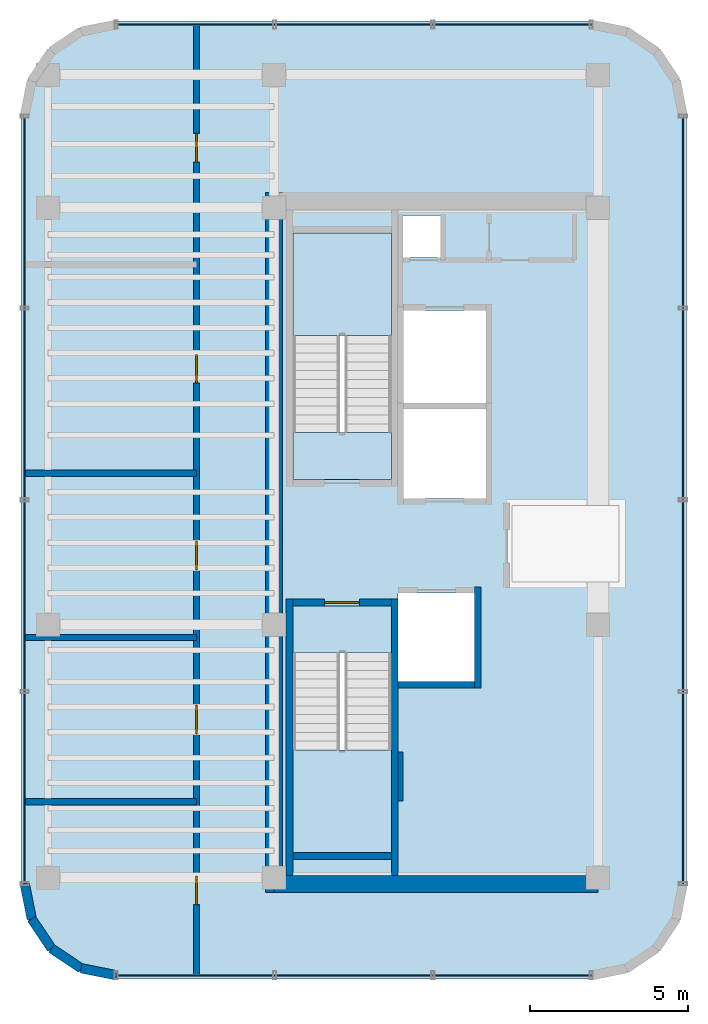
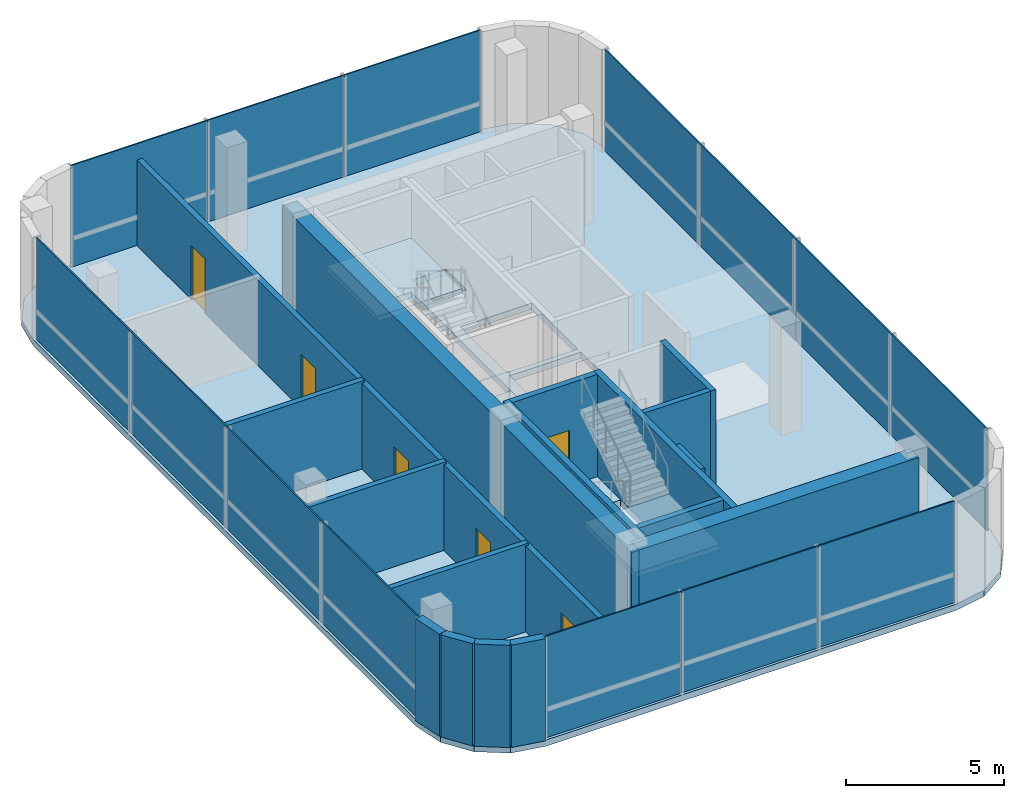
# One storey, part 9 of 11: 17 walls, 14 plates, 6 doors, 5 slabs, 6 openings, 6 elements without a shape of their own.
"""IFC4 building model written with IfcOpenShell, lengths in metres."""

import ifcopenshell
import ifcopenshell.guid

model = None  # the IFC model being written
_history = None  # IfcOwnerHistory: only IFC2X3 demands one
_inside = {}  # id of a spatial element -> (the spatial element, [elements in it])
_under = {}  # id of a project, library or spatial element -> (it, [spatial elements below it])
_declared = {}  # id of a project -> (the project, [libraries it declares])
_typed = {}  # id of a type object -> (the type object, [elements of that type])
_made_of = {}  # id of a material, layer set ... -> (it, [elements and type objects made of it])


def new_model(schema):
    """Start an empty IFC model of exactly this schema.

    Asked for "IFC4X3", IfcOpenShell would pick the latest addendum, in which some entities
    have other attributes; the version numbers below select the first issue.
    IFC2X3 requires an IfcOwnerHistory on every rooted entity: one is made here for all.
    """
    global model, _history
    if schema == "IFC4X3":
        model = ifcopenshell.file(schema_version=(4, 3, 0, 0))
    else:
        model = ifcopenshell.file(schema=schema)
    _inside.clear()
    _under.clear()
    _declared.clear()
    _typed.clear()
    _made_of.clear()
    _history = None
    if model.schema == "IFC2X3":
        org = make("IfcOrganization", Name="unknown")
        user = make(
            "IfcPersonAndOrganization",
            ThePerson=make("IfcPerson", FamilyName="unknown"),
            TheOrganization=org,
        )
        app = make(
            "IfcApplication",
            ApplicationDeveloper=org,
            Version="unknown",
            ApplicationFullName="unknown",
            ApplicationIdentifier="unknown",
        )
        _history = make(
            "IfcOwnerHistory",
            OwningUser=user,
            OwningApplication=app,
            ChangeAction="ADDED",
            CreationDate=0,
        )
    return model


def make(cls, **values):
    """One entity of the class cls with the attributes given. An attribute that is None is left unset."""
    return model.create_entity(
        cls, **{name: value for name, value in values.items() if value is not None}
    )


def rooted(cls, **values):
    """An entity with a GlobalId (a new one), such as an element, a storey or a relation."""
    return make(cls, GlobalId=ifcopenshell.guid.new(), OwnerHistory=_history, **values)


def si_unit(unit_type, name, prefix=None):
    """IfcSIUnit, for example si_unit("LENGTHUNIT", "METRE", prefix="MILLI")."""
    return make("IfcSIUnit", UnitType=unit_type, Prefix=prefix, Name=name)


def assignment(units):
    """IfcUnitAssignment: the units of a project."""
    return None if units is None else make("IfcUnitAssignment", Units=units)


def point(xyz):
    """IfcCartesianPoint."""
    return None if xyz is None else make("IfcCartesianPoint", Coordinates=xyz)


def direction(xyz):
    """IfcDirection."""
    return None if xyz is None else make("IfcDirection", DirectionRatios=xyz)


def frame(location, z_axis=None, x_axis=None):
    """IfcAxis2Placement3D, a coordinate frame: its origin and axes. An axis left out is left unset."""
    return make(
        "IfcAxis2Placement3D",
        Location=point(location),
        Axis=direction(z_axis),
        RefDirection=direction(x_axis),
    )


def frame_2d(location, x_axis=None):
    """IfcAxis2Placement2D, a coordinate frame in the plane: its origin and x axis."""
    return make(
        "IfcAxis2Placement2D", Location=point(location), RefDirection=direction(x_axis)
    )


def origin():
    """The frame at (0, 0, 0) with its axes left unset."""
    return frame((0.0, 0.0, 0.0))


def origin_2d():
    """The frame at (0, 0) in the plane with its x axis left unset."""
    return frame_2d((0.0, 0.0))


def place(relative_to, where):
    """IfcLocalPlacement: puts the frame where relative to a parent placement (None: the world)."""
    return make(
        "IfcLocalPlacement", PlacementRelTo=relative_to, RelativePlacement=where
    )


def context(
    kind, dimensions, precision=None, world=None, true_north=None, identifier=None
):
    """IfcGeometricRepresentationContext, for example the 3D "Model" context."""
    return make(
        "IfcGeometricRepresentationContext",
        ContextIdentifier=identifier,
        ContextType=kind,
        CoordinateSpaceDimension=dimensions,
        Precision=precision,
        WorldCoordinateSystem=world,
        TrueNorth=true_north,
    )


def subcontext(parent, identifier, kind, view, scale=None):
    """IfcGeometricRepresentationSubContext, for example "Body" below "Model"."""
    return make(
        "IfcGeometricRepresentationSubContext",
        ContextIdentifier=identifier,
        ContextType=kind,
        ParentContext=parent,
        TargetScale=scale,
        TargetView=view,
    )


def project(units=None, contexts=None):
    """IfcProject with its units and contexts."""
    return rooted(
        "IfcProject",
        Name="project",
        RepresentationContexts=contexts,
        UnitsInContext=assignment(units),
    )


def spatial(cls, under=None, at=None, **own):
    """A site, building, storey or space (cls), placed at a placement, below another one or the project."""
    s = rooted(cls, ObjectPlacement=at, **own)
    if under is not None:
        _under.setdefault(under.id(), (under, []))[1].append(s)
    return s


def polyline(points):
    """IfcPolyline through the points."""
    return make("IfcPolyline", Points=[point(p) for p in points])


def profile(cls, at=None, kind="AREA", **sizes):
    """A parametric profile (cls). Its sizes go by their IFC names, for example OverallWidth=200.0."""
    return make(cls, ProfileType=kind, Position=at, **sizes)


def rectangle(**sizes):
    """IfcRectangleProfileDef."""
    return profile("IfcRectangleProfileDef", **sizes)


def outline(outer, holes=None, kind="AREA"):
    """IfcArbitraryClosedProfileDef: a profile drawn as a closed curve; with holes, ...WithVoids."""
    if holes is None:
        return make("IfcArbitraryClosedProfileDef", ProfileType=kind, OuterCurve=outer)
    return make(
        "IfcArbitraryProfileDefWithVoids",
        ProfileType=kind,
        OuterCurve=outer,
        InnerCurves=holes,
    )


def extrude(swept, where, along, depth):
    """IfcExtrudedAreaSolid: the profile swept, set in the frame where, extruded along a direction by depth."""
    return make(
        "IfcExtrudedAreaSolid",
        SweptArea=swept,
        Position=where,
        ExtrudedDirection=direction(along),
        Depth=depth,
    )


def shape(context_of_items, identifier, shape_type, items):
    """IfcShapeRepresentation: the items that make up one representation, for example the "Body"."""
    return make(
        "IfcShapeRepresentation",
        ContextOfItems=context_of_items,
        RepresentationIdentifier=identifier,
        RepresentationType=shape_type,
        Items=items,
    )


def source(mapping_origin, context_of_items, identifier, shape_type, items):
    """IfcRepresentationMap: a shape defined once, which mapped items show again and again."""
    return make(
        "IfcRepresentationMap",
        MappingOrigin=mapping_origin,
        MappedRepresentation=shape(context_of_items, identifier, shape_type, items),
    )


def transform(
    local_origin,
    x_axis=None,
    y_axis=None,
    z_axis=None,
    scale=None,
    scale2=None,
    scale3=None,
    uniform=True,
):
    """IfcCartesianTransformationOperator3D, or its non-uniform kind. x_axis, y_axis, z_axis: its Axis1, 2, 3."""
    if uniform:
        return make(
            "IfcCartesianTransformationOperator3D",
            Axis1=direction(x_axis),
            Axis2=direction(y_axis),
            LocalOrigin=point(local_origin),
            Scale=scale,
            Axis3=direction(z_axis),
        )
    return make(
        "IfcCartesianTransformationOperator3DnonUniform",
        Axis1=direction(x_axis),
        Axis2=direction(y_axis),
        LocalOrigin=point(local_origin),
        Scale=scale,
        Axis3=direction(z_axis),
        Scale2=scale2,
        Scale3=scale3,
    )


def mapped(mapping_source, mapping_target):
    """IfcMappedItem: shows the shape of a source again, moved by a transform."""
    return make(
        "IfcMappedItem", MappingSource=mapping_source, MappingTarget=mapping_target
    )


def material(Name=None, Category=None):
    """IfcMaterial."""
    return make("IfcMaterial", Name=Name, Category=Category)


def layer(
    of_material, thickness, ventilated=None, Name=None, Category=None, Priority=None
):
    """IfcMaterialLayer: one layer of a wall or slab, of a material (None: an air gap)."""
    return make(
        "IfcMaterialLayer",
        Material=of_material,
        LayerThickness=thickness,
        IsVentilated=ventilated,
        Name=Name,
        Category=Category,
        Priority=Priority,
    )


def layer_set(layers, Name=None):
    """IfcMaterialLayerSet."""
    return make("IfcMaterialLayerSet", MaterialLayers=layers, LayerSetName=Name)


def made_of(thing, what):
    """Note that an element or type object is made of a material, layer set ...; save() writes the relation."""
    if what is not None:
        _made_of.setdefault(what.id(), (what, []))[1].append(thing)
    return thing


def type_object(cls, material=None, **own):
    """A type object (cls), such as IfcWallType, which elements share."""
    return made_of(rooted(cls, **own), material)


def element(
    cls,
    number,
    at=None,
    inside=None,
    cuts=None,
    type_object=None,
    material=None,
    context=None,
    identifier="Body",
    shape_type=None,
    held_by="IfcProductDefinitionShape",
    body=None,
    shapes=None,
    **own,
):
    """One element of the class cls, such as IfcWall. Its Tag is "e" and its number.

    at: its placement. inside: the storey or other place that contains it. cuts: it is an
    opening in that element (IfcRelVoidsElement). A single representation is given by context,
    identifier, shape_type and body (its items); several are given by shapes. held_by: the class
    of the entity that holds the representations. save() writes the other relations.
    """
    e = rooted(cls, Tag="e%d" % number, ObjectPlacement=at, **own)
    if body is not None:
        shapes = [shape(context, identifier, shape_type, body)]
    if shapes is not None:
        e.Representation = make(held_by, Representations=shapes)
    if inside is not None:
        _inside.setdefault(inside.id(), (inside, []))[1].append(e)
    if cuts is not None:
        rooted(
            "IfcRelVoidsElement", RelatingBuildingElement=cuts, RelatedOpeningElement=e
        )
    if type_object is not None:
        _typed.setdefault(type_object.id(), (type_object, []))[1].append(e)
    return made_of(e, material)


def fill(opening, filler):
    """IfcRelFillsElement: the door or window that sits in an opening."""
    return rooted(
        "IfcRelFillsElement",
        RelatingOpeningElement=opening,
        RelatedBuildingElement=filler,
    )


def aggregate(whole, parts):
    """IfcRelAggregates: a whole, such as a stair, and the parts it consists of."""
    return rooted("IfcRelAggregates", RelatingObject=whole, RelatedObjects=parts)


def save(model, path):
    """Write the relations noted so far, then the file.

    IfcRelAggregates (storeys below a building ...), IfcRelContainedInSpatialStructure (elements
    in a storey), IfcRelDefinesByType, IfcRelAssociatesMaterial and IfcRelDeclares: one each for
    every whole, place, type object, material and project.
    """
    for whole, parts in _under.values():
        aggregate(whole, parts)
    for where, things in _inside.values():
        rooted(
            "IfcRelContainedInSpatialStructure",
            RelatedElements=things,
            RelatingStructure=where,
        )
    for kind, things in _typed.values():
        rooted("IfcRelDefinesByType", RelatedObjects=things, RelatingType=kind)
    for what, things in _made_of.values():
        rooted("IfcRelAssociatesMaterial", RelatedObjects=things, RelatingMaterial=what)
    for by, libraries in _declared.values():
        rooted("IfcRelDeclares", RelatingContext=by, RelatedDefinitions=libraries)
    model.write(path)


model = new_model("IFC4")

# Units and contexts
model_context = context("Model", 3, precision=1e-05, world=origin(), true_north=direction((0.0, 1.0)))
body_context = subcontext(model_context, "Body", "Model", "MODEL_VIEW")
ifc_project = project(units=[si_unit("LENGTHUNIT", "METRE"), si_unit("AREAUNIT", "SQUARE_METRE"), si_unit("VOLUMEUNIT", "CUBIC_METRE"), si_unit("PLANEANGLEUNIT", "RADIAN"), si_unit("MASSUNIT", "GRAM", prefix="KILO")], contexts=[model_context])

# Site, building, storey
site_placement = place(None, origin())
site = spatial("IfcSite", under=ifc_project, at=site_placement, CompositionType="ELEMENT")
building_placement = place(site_placement, origin())
building = spatial("IfcBuilding", under=site, at=building_placement, Name="Valdorenza Pilgrim Sanctuary Tower", CompositionType="ELEMENT")
storey_placement = place(building_placement, frame((0.0, 0.0, 299.39990234375)))
storey = spatial("IfcBuildingStorey", under=building, at=storey_placement, Name="L78", CompositionType="ELEMENT", Elevation=299.39990234375)

# Slab
ifc_material_1 = material(Name="Concrete C40/50", Category="concrete")
ifc_layer_1 = layer(ifc_material_1, 0.239990234375, Name="Concrete C40/50")
ifc_layer_set_1 = layer_set([ifc_layer_1], Name="Concrete C40/50")
slab_type_1 = type_object("IfcSlabType", Name="SLAB-PLT-240", PredefinedType="FLOOR", material=ifc_layer_set_1)
slab_1_placement = place(storey_placement, frame((0.0, 0.0, -0.239990234375)))
element("IfcSlab", 1, at=slab_1_placement, inside=storey, type_object=slab_type_1, Name="L78 Structural Floor Slab 1", PredefinedType="FLOOR", context=body_context, shape_type="SweptSolid", body=[
    extrude(outline(polyline([(-30.64990234375, 13.5), (-30.421630859375, 14.648193359375), (-29.771240234375, 15.621337890625), (-28.798095703125, 16.271484375), (-27.64990234375, 16.5), (-12.60009765625, 16.5), (-11.451904296875, 16.271484375), (-10.478759765625, 15.621337890625), (-9.828369140625, 14.648193359375), (-9.60009765625, 13.5), (-9.60009765625, -10.800048828125), (-9.828369140625, -11.947998046875), (-10.478759765625, -12.92138671875), (-11.451904296875, -13.571533203125), (-12.60009765625, -13.800048828125), (-27.64990234375, -13.800048828125), (-28.798095703125, -13.571533203125), (-29.771240234375, -12.92138671875), (-30.421630859375, -11.947998046875), (-30.64990234375, -10.800048828125), (-30.64990234375, 13.5)]), holes=[polyline([(-18.93994140625, -9.800048828125), (-18.93994140625, -3.485107421875), (-18.93994140625, -2.0), (-22.050048828125, -2.0), (-22.050048828125, -3.485107421875), (-22.050048828125, -9.800048828125), (-18.93994140625, -9.800048828125)]), polyline([(-16.300048828125, -1.60009765625), (-18.719970703125, -1.60009765625), (-18.719970703125, -4.39990234375), (-16.300048828125, -4.39990234375), (-16.300048828125, -1.60009765625)]), polyline([(-18.93994140625, 3.485107421875), (-18.93994140625, 9.800048828125), (-22.050048828125, 9.800048828125), (-22.050048828125, 3.485107421875), (-22.050048828125, 2.0), (-18.93994140625, 2.0), (-18.93994140625, 3.485107421875)]), polyline([(-15.949951171875, 4.22509765625), (-18.550048828125, 4.22509765625), (-18.550048828125, 1.39990234375), (-15.949951171875, 1.39990234375), (-15.949951171875, 4.22509765625)]), polyline([(-15.949951171875, 7.35009765625), (-18.550048828125, 7.35009765625), (-18.550048828125, 4.425048828125), (-15.949951171875, 4.425048828125), (-15.949951171875, 7.35009765625)]), polyline([(-17.360107421875, 10.35009765625), (-18.570068359375, 10.35009765625), (-18.570068359375, 9.030029296875), (-17.360107421875, 9.030029296875), (-17.360107421875, 10.35009765625)])]), origin(), (0.0, 0.0, 1.0), 0.239990234375),
])

# Stair, slab
stair_type = type_object("IfcStairType", Name="STR-DOG-CORE", PredefinedType="HALF_TURN_STAIR", material=ifc_material_1)
stair_1_placement = place(storey_placement, origin())
stair_1 = element("IfcStair", 2, at=stair_1_placement, inside=storey, type_object=stair_type, Name="L78 ST-A1", PredefinedType="HALF_TURN_STAIR")
ifc_layer_2 = layer(ifc_material_1, 0.199951171875, Name="Concrete C40/50")
ifc_layer_set_2 = layer_set([ifc_layer_2], Name="Concrete C40/50")
slab_type_2 = type_object("IfcSlabType", Name="SLAB-STL-200", PredefinedType="LANDING", material=ifc_layer_set_2)
slab_2_placement = place(storey_placement, frame((0.0, 0.0, 1.900146484375)))
slab_2 = element("IfcSlab", 3, at=slab_2_placement, type_object=slab_type_2, Name="ST-A1 landing 1", PredefinedType="LANDING", context=body_context, shape_type="SweptSolid", body=[
    extrude(outline(polyline([(-18.93994140625, 6.56005859375), (-18.93994140625, 9.800048828125), (-22.050048828125, 9.800048828125), (-22.050048828125, 6.56005859375), (-18.93994140625, 6.56005859375)])), origin(), (0.0, 0.0, 1.0), 0.199951171875),
])
aggregate(stair_1, [slab_2])

stair_2_placement = place(storey_placement, origin())
stair_2 = element("IfcStair", 4, at=stair_2_placement, inside=storey, type_object=stair_type, Name="L78 ST-A2", PredefinedType="HALF_TURN_STAIR")
slab_3_placement = place(storey_placement, frame((0.0, 0.0, 1.900146484375)))
slab_3 = element("IfcSlab", 5, at=slab_3_placement, type_object=slab_type_2, Name="ST-A2 landing 1", PredefinedType="LANDING", context=body_context, shape_type="SweptSolid", body=[
    extrude(outline(polyline([(-22.050048828125, -6.56005859375), (-22.050048828125, -9.800048828125), (-18.93994140625, -9.800048828125), (-18.93994140625, -6.56005859375), (-22.050048828125, -6.56005859375)])), origin(), (0.0, 0.0, 1.0), 0.199951171875),
])
aggregate(stair_2, [slab_3])

# Slabs
ifc_material_2 = material(Name="Concrete C50/60", Category="concrete")
ifc_layer_3 = layer(ifc_material_2, 0.39990234375, Name="Concrete C50/60")
ifc_layer_set_3 = layer_set([ifc_layer_3], Name="Concrete C50/60")
slab_type_3 = type_object("IfcSlabType", Name="SLAB-TRF-400", PredefinedType="FLOOR", material=ifc_layer_set_3)
slab_4_placement = place(storey_placement, frame((0.0, 0.0, -0.35986328125)))
element("IfcSlab", 6, at=slab_4_placement, inside=storey, type_object=slab_type_3, Name="L78 ST-A1 Structural Stair Landing Bearing Slab", PredefinedType="FLOOR", context=body_context, shape_type="SweptSolid", body=[
    extrude(outline(polyline([(-22.050048828125, 2.0), (-18.93994140625, 2.0), (-18.93994140625, 3.485107421875), (-22.050048828125, 3.485107421875), (-22.050048828125, 2.0)])), origin(), (0.0, 0.0, 1.0), 0.35986328125),
])
slab_5_placement = place(storey_placement, frame((0.0, 0.0, -0.35986328125)))
element("IfcSlab", 7, at=slab_5_placement, inside=storey, type_object=slab_type_3, Name="L78 ST-A2 Structural Stair Landing Bearing Slab", PredefinedType="FLOOR", context=body_context, shape_type="SweptSolid", body=[
    extrude(outline(polyline([(-22.050048828125, -3.485107421875), (-18.93994140625, -3.485107421875), (-18.93994140625, -2.0), (-22.050048828125, -2.0), (-22.050048828125, -3.485107421875)])), origin(), (0.0, 0.0, 1.0), 0.35986328125),
])

# Curtain wall, plates
ifc_material_3 = material(Name="Curtain-wall IGU glazing", Category="glass")
curtain_wall_type = type_object("IfcCurtainWallType", Name="CW-SYS-06", PredefinedType="NOTDEFINED", material=ifc_material_3)
curtain_wall_1_placement = place(storey_placement, origin())
curtain_wall_1 = element("IfcCurtainWall", 8, at=curtain_wall_1_placement, inside=storey, type_object=curtain_wall_type, Name="L78 Curtain Wall CW-L78-1-1", PredefinedType="NOTDEFINED")
ifc_material_4 = material(Name="Translucent white ceramic-fritted crown lantern glass", Category="glass")
ifc_layer_4 = layer(ifc_material_4, 0.0419921875, Name="Translucent white ceramic-fritted crown lantern glass")
ifc_layer_set_4 = layer_set([ifc_layer_4], Name="Translucent white ceramic-fritted crown lantern glass")
plate_type = type_object("IfcPlateType", Name="CW-GLZ-CROWN", PredefinedType="USERDEFINED", material=ifc_layer_set_4)
shared_shape_1 = source(origin(), body_context, "Body", "SweptSolid", [
    extrude(rectangle(XDim=6.049560546875, YDim=0.050048828125, at=origin_2d()), origin(), (0.0, 0.0, 1.0), 3.93994140625),
])
plate_1_placement = place(storey_placement, frame((-30.5400390625, -7.75439453125, 0.010009765625), z_axis=(0.0, 0.0, 1.0), x_axis=(0.0, 1.0, 0.0)))
plate_1 = element("IfcPlate", 9, at=plate_1_placement, type_object=plate_type, Name="CW-L78-1-1 Full-Height Facade Panel 1", ObjectType="GLAZING", PredefinedType="USERDEFINED", context=body_context, shape_type="MappedRepresentation", body=[
    mapped(shared_shape_1, transform((0.0, 0.0, 0.0), x_axis=(1.0, 0.0, 0.0), y_axis=(0.0, 1.0, 0.0), z_axis=(0.0, 0.0, 1.0), scale=1.0)),
])
plate_2_placement = place(storey_placement, frame((-30.5400390625, -1.684814453125, 0.010009765625), z_axis=(0.0, 0.0, 1.0), x_axis=(0.0, 1.0, 0.0)))
plate_2 = element("IfcPlate", 10, at=plate_2_placement, type_object=plate_type, Name="CW-L78-1-1 Full-Height Facade Panel 2", ObjectType="GLAZING", PredefinedType="USERDEFINED", context=body_context, shape_type="MappedRepresentation", body=[
    mapped(shared_shape_1, transform((0.0, 0.0, 0.0), x_axis=(1.0, 0.0, 0.0), y_axis=(0.0, 1.0, 0.0), z_axis=(0.0, 0.0, 1.0), scale=1.0)),
])
plate_3_placement = place(storey_placement, frame((-30.5400390625, 4.384765625, 0.010009765625), z_axis=(0.0, 0.0, 1.0), x_axis=(0.0, 1.0, 0.0)))
plate_3 = element("IfcPlate", 11, at=plate_3_placement, type_object=plate_type, Name="CW-L78-1-1 Full-Height Facade Panel 3", ObjectType="GLAZING", PredefinedType="USERDEFINED", context=body_context, shape_type="MappedRepresentation", body=[
    mapped(shared_shape_1, transform((0.0, 0.0, 0.0), x_axis=(1.0, 0.0, 0.0), y_axis=(0.0, 1.0, 0.0), z_axis=(0.0, 0.0, 1.0), scale=1.0)),
])
plate_4_placement = place(storey_placement, frame((-30.5400390625, 10.454345703125, 0.010009765625), z_axis=(0.0, 0.0, 1.0), x_axis=(0.0, 1.0, 0.0)))
plate_4 = element("IfcPlate", 12, at=plate_4_placement, type_object=plate_type, Name="CW-L78-1-1 Full-Height Facade Panel 4", ObjectType="GLAZING", PredefinedType="USERDEFINED", context=body_context, shape_type="MappedRepresentation", body=[
    mapped(shared_shape_1, transform((0.0, 0.0, 0.0), x_axis=(1.0, 0.0, 0.0), y_axis=(0.0, 1.0, 0.0), z_axis=(0.0, 0.0, 1.0), scale=1.0)),
])
aggregate(curtain_wall_1, [plate_1, plate_2, plate_3, plate_4])

curtain_wall_2_placement = place(storey_placement, origin())
curtain_wall_2 = element("IfcCurtainWall", 13, at=curtain_wall_2_placement, inside=storey, type_object=curtain_wall_type, Name="L78 Curtain Wall CW-L78-1-11", PredefinedType="NOTDEFINED")
plate_5_placement = place(storey_placement, frame((-9.7099609375, 10.454345703125, 0.010009765625), z_axis=(0.0, 0.0, 1.0), x_axis=(0.0, -1.0, 0.0)))
plate_5 = element("IfcPlate", 14, at=plate_5_placement, type_object=plate_type, Name="CW-L78-1-11 Full-Height Facade Panel 1", ObjectType="GLAZING", PredefinedType="USERDEFINED", context=body_context, shape_type="MappedRepresentation", body=[
    mapped(shared_shape_1, transform((0.0, 0.0, 0.0), x_axis=(1.0, 0.0, 0.0), y_axis=(0.0, 1.0, 0.0), z_axis=(0.0, 0.0, 1.0), scale=1.0)),
])
plate_6_placement = place(storey_placement, frame((-9.7099609375, 4.384765625, 0.010009765625), z_axis=(0.0, 0.0, 1.0), x_axis=(0.0, -1.0, 0.0)))
plate_6 = element("IfcPlate", 15, at=plate_6_placement, type_object=plate_type, Name="CW-L78-1-11 Full-Height Facade Panel 2", ObjectType="GLAZING", PredefinedType="USERDEFINED", context=body_context, shape_type="MappedRepresentation", body=[
    mapped(shared_shape_1, transform((0.0, 0.0, 0.0), x_axis=(1.0, 0.0, 0.0), y_axis=(0.0, 1.0, 0.0), z_axis=(0.0, 0.0, 1.0), scale=1.0)),
])
plate_7_placement = place(storey_placement, frame((-9.7099609375, -1.684814453125, 0.010009765625), z_axis=(0.0, 0.0, 1.0), x_axis=(0.0, -1.0, 0.0)))
plate_7 = element("IfcPlate", 16, at=plate_7_placement, type_object=plate_type, Name="CW-L78-1-11 Full-Height Facade Panel 3", ObjectType="GLAZING", PredefinedType="USERDEFINED", context=body_context, shape_type="MappedRepresentation", body=[
    mapped(shared_shape_1, transform((0.0, 0.0, 0.0), x_axis=(1.0, 0.0, 0.0), y_axis=(0.0, 1.0, 0.0), z_axis=(0.0, 0.0, 1.0), scale=1.0)),
])
plate_8_placement = place(storey_placement, frame((-9.7099609375, -7.75439453125, 0.010009765625), z_axis=(0.0, 0.0, 1.0), x_axis=(0.0, -1.0, 0.0)))
plate_8 = element("IfcPlate", 17, at=plate_8_placement, type_object=plate_type, Name="CW-L78-1-11 Full-Height Facade Panel 4", ObjectType="GLAZING", PredefinedType="USERDEFINED", context=body_context, shape_type="MappedRepresentation", body=[
    mapped(shared_shape_1, transform((0.0, 0.0, 0.0), x_axis=(1.0, 0.0, 0.0), y_axis=(0.0, 1.0, 0.0), z_axis=(0.0, 0.0, 1.0), scale=1.0)),
])
aggregate(curtain_wall_2, [plate_5, plate_6, plate_7, plate_8])

curtain_wall_3_placement = place(storey_placement, origin())
curtain_wall_3 = element("IfcCurtainWall", 18, at=curtain_wall_3_placement, inside=storey, type_object=curtain_wall_type, Name="L78 Curtain Wall CW-L78-1-6", PredefinedType="NOTDEFINED")
shared_shape_2 = source(origin(), body_context, "Body", "SweptSolid", [
    extrude(rectangle(XDim=4.989501953125, YDim=0.050048828125, at=origin_2d()), origin(), (0.0, 0.0, 1.0), 3.93994140625),
])
plate_9_placement = place(storey_placement, frame((-25.134521484375, 16.389892578125, 0.010009765625), z_axis=(0.0, 0.0, 1.0), x_axis=(1.0, 0.0, 0.0)))
plate_9 = element("IfcPlate", 19, at=plate_9_placement, type_object=plate_type, Name="CW-L78-1-6 Full-Height Facade Panel 1", ObjectType="GLAZING", PredefinedType="USERDEFINED", context=body_context, shape_type="MappedRepresentation", body=[
    mapped(shared_shape_2, transform((0.0, 0.0, 0.0), x_axis=(1.0, 0.0, 0.0), y_axis=(0.0, 1.0, 0.0), z_axis=(0.0, 0.0, 1.0), scale=1.0)),
])
plate_10_placement = place(storey_placement, frame((-20.125, 16.389892578125, 0.010009765625), z_axis=(0.0, 0.0, 1.0), x_axis=(1.0, 0.0, 0.0)))
plate_10 = element("IfcPlate", 20, at=plate_10_placement, type_object=plate_type, Name="CW-L78-1-6 Full-Height Facade Panel 2", ObjectType="GLAZING", PredefinedType="USERDEFINED", context=body_context, shape_type="MappedRepresentation", body=[
    mapped(shared_shape_2, transform((0.0, 0.0, 0.0), x_axis=(1.0, 0.0, 0.0), y_axis=(0.0, 1.0, 0.0), z_axis=(0.0, 0.0, 1.0), scale=1.0)),
])
plate_11_placement = place(storey_placement, frame((-15.115478515625, 16.389892578125, 0.010009765625), z_axis=(0.0, 0.0, 1.0), x_axis=(1.0, 0.0, 0.0)))
plate_11 = element("IfcPlate", 21, at=plate_11_placement, type_object=plate_type, Name="CW-L78-1-6 Full-Height Facade Panel 3", ObjectType="GLAZING", PredefinedType="USERDEFINED", context=body_context, shape_type="MappedRepresentation", body=[
    mapped(shared_shape_2, transform((0.0, 0.0, 0.0), x_axis=(1.0, 0.0, 0.0), y_axis=(0.0, 1.0, 0.0), z_axis=(0.0, 0.0, 1.0), scale=1.0)),
])
aggregate(curtain_wall_3, [plate_9, plate_10, plate_11])

curtain_wall_4_placement = place(storey_placement, origin())
curtain_wall_4 = element("IfcCurtainWall", 22, at=curtain_wall_4_placement, inside=storey, type_object=curtain_wall_type, Name="L78 Curtain Wall CW-L78-1-16", PredefinedType="NOTDEFINED")
plate_12_placement = place(storey_placement, frame((-15.115478515625, -13.68994140625, 0.010009765625), z_axis=(0.0, 0.0, 1.0), x_axis=(-1.0, 0.0, 0.0)))
plate_12 = element("IfcPlate", 23, at=plate_12_placement, type_object=plate_type, Name="CW-L78-1-16 Full-Height Facade Panel 1", ObjectType="GLAZING", PredefinedType="USERDEFINED", context=body_context, shape_type="MappedRepresentation", body=[
    mapped(shared_shape_2, transform((0.0, 0.0, 0.0), x_axis=(1.0, 0.0, 0.0), y_axis=(0.0, 1.0, 0.0), z_axis=(0.0, 0.0, 1.0), scale=1.0)),
])
plate_13_placement = place(storey_placement, frame((-20.125, -13.68994140625, 0.010009765625), z_axis=(0.0, 0.0, 1.0), x_axis=(-1.0, 0.0, 0.0)))
plate_13 = element("IfcPlate", 24, at=plate_13_placement, type_object=plate_type, Name="CW-L78-1-16 Full-Height Facade Panel 2", ObjectType="GLAZING", PredefinedType="USERDEFINED", context=body_context, shape_type="MappedRepresentation", body=[
    mapped(shared_shape_2, transform((0.0, 0.0, 0.0), x_axis=(1.0, 0.0, 0.0), y_axis=(0.0, 1.0, 0.0), z_axis=(0.0, 0.0, 1.0), scale=1.0)),
])
plate_14_placement = place(storey_placement, frame((-25.134521484375, -13.68994140625, 0.010009765625), z_axis=(0.0, 0.0, 1.0), x_axis=(-1.0, 0.0, 0.0)))
plate_14 = element("IfcPlate", 25, at=plate_14_placement, type_object=plate_type, Name="CW-L78-1-16 Full-Height Facade Panel 3", ObjectType="GLAZING", PredefinedType="USERDEFINED", context=body_context, shape_type="MappedRepresentation", body=[
    mapped(shared_shape_2, transform((0.0, 0.0, 0.0), x_axis=(1.0, 0.0, 0.0), y_axis=(0.0, 1.0, 0.0), z_axis=(0.0, 0.0, 1.0), scale=1.0)),
])
aggregate(curtain_wall_4, [plate_12, plate_13, plate_14])

# Walls
ifc_material_5 = material(Name="Acoustic twin-stud gypsum partition", Category="gypsum")
ifc_layer_5 = layer(ifc_material_5, 0.159912109375, Name="Acoustic twin-stud gypsum partition")
ifc_layer_set_5 = layer_set([ifc_layer_5], Name="Acoustic twin-stud gypsum partition")
wall_type_1 = type_object("IfcWallType", Name="WAL-COR-160", PredefinedType="PARTITIONING", material=ifc_layer_set_5)
wall_1_placement = place(storey_placement, frame((-18.64990234375, -8.179931640625, 0.0), z_axis=(0.0, 0.0, 1.0), x_axis=(0.0, 1.0, 0.0)))
element("IfcWall", 26, at=wall_1_placement, inside=storey, type_object=wall_type_1, Name="L78 Core A South Lift Hall West Wall", PredefinedType="PARTITIONING", context=body_context, shape_type="SweptSolid", body=[
    extrude(rectangle(XDim=1.559814453125, YDim=0.159912109375, at=frame_2d((0.77978515625, 0.0))), origin(), (0.0, 0.0, 1.0), 3.960205078125),
])
ifc_layer_6 = layer(ifc_material_2, 0.550048828125, Name="Concrete C50/60")
ifc_layer_set_6 = layer_set([ifc_layer_6], Name="Concrete C50/60")
wall_type_2 = type_object("IfcWallType", Name="WAL-COR-550", PredefinedType="SHEAR", material=ifc_layer_set_6)
wall_2_placement = place(storey_placement, frame((-22.64990234375, -11.074951171875, 0.0), z_axis=(0.0, 0.0, 1.0), x_axis=(0.0, 1.0, 0.0)))
element("IfcWall", 27, at=wall_2_placement, inside=storey, type_object=wall_type_2, Name="L78 Split Core A Shear Wall W", PredefinedType="SHEAR", context=body_context, shape_type="SweptSolid", body=[
    extrude(rectangle(XDim=22.14990234375, YDim=0.550048828125, at=frame_2d((11.074951171875, 0.0))), origin(), (0.0, 0.0, 1.0), 3.960205078125),
])
wall_3_placement = place(storey_placement, frame((-22.64990234375, -10.800048828125, 0.0), z_axis=(0.0, 0.0, 1.0), x_axis=(1.0, 0.0, 0.0)))
element("IfcWall", 28, at=wall_3_placement, inside=storey, type_object=wall_type_2, Name="L78 Split Core A Shear Wall S", PredefinedType="SHEAR", context=body_context, shape_type="SweptSolid", body=[
    extrude(rectangle(XDim=10.25, YDim=0.550048828125, at=frame_2d((5.125, 0.0))), origin(), (0.0, 0.0, 1.0), 3.960205078125),
])
ifc_material_6 = material(Name="Honed travertine limestone", Category="masonry")
ifc_layer_7 = layer(ifc_material_6, 0.300048828125, Name="Honed travertine limestone")
ifc_layer_set_7 = layer_set([ifc_layer_7], Name="Honed travertine limestone")
wall_type_3 = type_object("IfcWallType", Name="WAL-EXT-300", PredefinedType="SOLIDWALL", material=ifc_layer_set_7)
wall_4_placement = place(storey_placement, frame((-27.63916015625, -13.68994140625, 0.0), z_axis=(0.0, 0.0, 1.0), x_axis=(-0.980794657743, 0.195043173023, 0.0)))
element("IfcWall", 29, at=wall_4_placement, inside=storey, type_object=wall_type_3, Name="L78 Rounded Wind-Corner Stone Pier 17", PredefinedType="SOLIDWALL", context=body_context, shape_type="SweptSolid", body=[
    extrude(rectangle(XDim=1.137939453125, YDim=0.300048828125, at=frame_2d((0.56884765625, 0.0))), origin(), (0.0, 0.0, 1.0), 3.960205078125),
])
for number, where, z_axis, x_axis, name in (
    (30, (-28.755126953125, -13.468017578125, 0.0), (0.0, 0.0, 1.0), (-0.831449735491, 0.555599979619, 0.0), "L78 Rounded Wind-Corner Stone Pier 18"),
    (31, (-29.69189453125, -12.842041015625, 0.0), (0.0, 0.0, 1.0), (-0.555749754081, 0.831349632128, 0.0), "L78 Rounded Wind-Corner Stone Pier 19"),
):
    element("IfcWall", number, at=place(storey_placement, frame(where, z_axis=z_axis, x_axis=x_axis)), inside=storey, type_object=wall_type_3, Name=name, PredefinedType="SOLIDWALL", context=body_context, shape_type="SweptSolid", body=[
        extrude(rectangle(XDim=1.126708984375, YDim=0.300048828125, at=frame_2d((0.5634765625, 0.0))), origin(), (0.0, 0.0, 1.0), 3.960205078125),
    ])
wall_5_placement = place(storey_placement, frame((-30.318115234375, -11.9052734375, 0.0), z_axis=(0.0, 0.0, 1.0), x_axis=(-0.195043173023, 0.980794657743, 0.0)))
element("IfcWall", 32, at=wall_5_placement, inside=storey, type_object=wall_type_3, Name="L78 Rounded Wind-Corner Stone Pier 20", PredefinedType="SOLIDWALL", context=body_context, shape_type="SweptSolid", body=[
    extrude(rectangle(XDim=1.137939453125, YDim=0.300048828125, at=frame_2d((0.56884765625, 0.0))), origin(), (0.0, 0.0, 1.0), 3.960205078125),
])

# Wall, openings, doors
ifc_material_7 = material(Name="Gypsum shaftwall partition", Category="gypsum")
ifc_layer_8 = layer(ifc_material_7, 0.199951171875, Name="Gypsum shaftwall partition")
ifc_layer_set_8 = layer_set([ifc_layer_8], Name="Gypsum shaftwall partition")
wall_type_4 = type_object("IfcWallType", Name="WAL-FFL-200", PredefinedType="PARTITIONING", material=ifc_layer_set_8)
wall_6_placement = place(storey_placement, frame((-25.10009765625, -13.68994140625, 0.0), z_axis=(0.0, 0.0, 1.0), x_axis=(0.0, 1.0, 0.0)))
wall_6 = element("IfcWall", 33, at=wall_6_placement, inside=storey, type_object=wall_type_4, Name="L78 L78 Mechanical Plant Wall", PredefinedType="PARTITIONING", context=body_context, shape_type="SweptSolid", body=[
    extrude(rectangle(XDim=30.079833984375, YDim=0.199951171875, at=frame_2d((15.0400390625, 0.0))), origin(), (0.0, 0.0, 1.0), 3.322998046875),
])
opening_1_placement = place(wall_6_placement, frame((2.239990234375, 0.0, 0.0)))
opening_1 = element("IfcOpeningElement", 34, at=opening_1_placement, cuts=wall_6, Name="Opening DR-RM1", PredefinedType="OPENING", context=body_context, shape_type="SweptSolid", body=[
    extrude(rectangle(XDim=0.89990234375, YDim=2.10009765625, at=frame_2d((0.449951171875, 1.050048828125))), frame((0.0, 0.11474609375, 0.0), z_axis=(0.0, -1.0, 0.0), x_axis=(1.0, 0.0, 0.0)), (0.0, 0.0, 1.0), 0.229736328125),
])
opening_2_placement = place(wall_6_placement, frame((7.639892578125, 0.0, 0.0)))
opening_2 = element("IfcOpeningElement", 35, at=opening_2_placement, cuts=wall_6, Name="Opening DR-RM1", PredefinedType="OPENING", context=body_context, shape_type="SweptSolid", body=[
    extrude(rectangle(XDim=0.89990234375, YDim=2.10009765625, at=frame_2d((0.449951171875, 1.050048828125))), frame((0.0, 0.11474609375, 0.0), z_axis=(0.0, -1.0, 0.0), x_axis=(1.0, 0.0, 0.0)), (0.0, 0.0, 1.0), 0.229736328125),
])
opening_3_placement = place(wall_6_placement, frame((12.840087890625, 0.0, 0.0)))
opening_3 = element("IfcOpeningElement", 36, at=opening_3_placement, cuts=wall_6, Name="Opening DR-RM1", PredefinedType="OPENING", context=body_context, shape_type="SweptSolid", body=[
    extrude(rectangle(XDim=0.89990234375, YDim=2.10009765625, at=frame_2d((0.449951171875, 1.050048828125))), frame((0.0, 0.11474609375, 0.0), z_axis=(0.0, -1.0, 0.0), x_axis=(1.0, 0.0, 0.0)), (0.0, 0.0, 1.0), 0.229736328125),
])
opening_4_placement = place(wall_6_placement, frame((18.739990234375, 0.0, 0.0)))
opening_4 = element("IfcOpeningElement", 37, at=opening_4_placement, cuts=wall_6, Name="Opening DR-RM1", PredefinedType="OPENING", context=body_context, shape_type="SweptSolid", body=[
    extrude(rectangle(XDim=0.89990234375, YDim=2.10009765625, at=frame_2d((0.449951171875, 1.050048828125))), frame((0.0, 0.11474609375, 0.0), z_axis=(0.0, -1.0, 0.0), x_axis=(1.0, 0.0, 0.0)), (0.0, 0.0, 1.0), 0.229736328125),
])
opening_5_placement = place(wall_6_placement, frame((25.739990234375, 0.0, 0.0)))
opening_5 = element("IfcOpeningElement", 38, at=opening_5_placement, cuts=wall_6, Name="Opening DR-RM1", PredefinedType="OPENING", context=body_context, shape_type="SweptSolid", body=[
    extrude(rectangle(XDim=0.89990234375, YDim=2.10009765625, at=frame_2d((0.449951171875, 1.050048828125))), frame((0.0, 0.11474609375, 0.0), z_axis=(0.0, -1.0, 0.0), x_axis=(1.0, 0.0, 0.0)), (0.0, 0.0, 1.0), 0.229736328125),
])
ifc_material_8 = material(Name="Solid-core European oak timber", Category="wood")
door_type_1 = type_object("IfcDoorType", Name="DR-ROOM-900", OperationType="NOTDEFINED", PredefinedType="DOOR", material=ifc_material_8)
door_1_placement = place(opening_1_placement, origin())
door_1 = element("IfcDoor", 39, at=door_1_placement, inside=storey, type_object=door_type_1, Name="L78 L78 Chilled-Water Booster Plant Room Door", OperationType="SINGLE_SWING_RIGHT", OverallHeight=2.10009765625, OverallWidth=0.89990234375, PredefinedType="DOOR", context=body_context, shape_type="SweptSolid", body=[
    extrude(rectangle(XDim=0.89990234375, YDim=2.10009765625, at=frame_2d((0.449951171875, 1.050048828125))), frame((0.0, 0.02490234375, 0.0), z_axis=(0.0, -1.0, 0.0), x_axis=(1.0, 0.0, 0.0)), (0.0, 0.0, 1.0), 0.050048828125),
])
fill(opening_1, door_1)
door_2_placement = place(opening_2_placement, frame((0.89990234375, 0.0, 0.0), z_axis=(0.0, 0.0, 1.0), x_axis=(-1.0, 0.0, 0.0)))
door_2 = element("IfcDoor", 40, at=door_2_placement, inside=storey, type_object=door_type_1, Name="L78 L78 South AHU and Heat-Recovery Plant Room Door", OperationType="SINGLE_SWING_LEFT", OverallHeight=2.10009765625, OverallWidth=0.89990234375, PredefinedType="DOOR", context=body_context, shape_type="SweptSolid", body=[
    extrude(rectangle(XDim=0.89990234375, YDim=2.10009765625, at=frame_2d((0.449951171875, 1.050048828125))), frame((0.0, 0.02490234375, 0.0), z_axis=(0.0, -1.0, 0.0), x_axis=(1.0, 0.0, 0.0)), (0.0, 0.0, 1.0), 0.050048828125),
])
fill(opening_2, door_2)
door_3_placement = place(opening_3_placement, origin())
door_3 = element("IfcDoor", 41, at=door_3_placement, inside=storey, type_object=door_type_1, Name="L78 L78 Damper Monitoring and Mechanical Plant Room Door", OperationType="SINGLE_SWING_RIGHT", OverallHeight=2.10009765625, OverallWidth=0.89990234375, PredefinedType="DOOR", context=body_context, shape_type="SweptSolid", body=[
    extrude(rectangle(XDim=0.89990234375, YDim=2.10009765625, at=frame_2d((0.449951171875, 1.050048828125))), frame((0.0, 0.02490234375, 0.0), z_axis=(0.0, -1.0, 0.0), x_axis=(1.0, 0.0, 0.0)), (0.0, 0.0, 1.0), 0.050048828125),
])
fill(opening_3, door_3)
door_4_placement = place(opening_4_placement, frame((0.89990234375, 0.0, 0.0), z_axis=(0.0, 0.0, 1.0), x_axis=(-1.0, 0.0, 0.0)))
door_4 = element("IfcDoor", 42, at=door_4_placement, inside=storey, type_object=door_type_1, Name="L78 L78 Crown Smoke-Extract Plant Room Door", OperationType="SINGLE_SWING_LEFT", OverallHeight=2.10009765625, OverallWidth=0.89990234375, PredefinedType="DOOR", context=body_context, shape_type="SweptSolid", body=[
    extrude(rectangle(XDim=0.89990234375, YDim=2.10009765625, at=frame_2d((0.449951171875, 1.050048828125))), frame((0.0, 0.02490234375, 0.0), z_axis=(0.0, -1.0, 0.0), x_axis=(1.0, 0.0, 0.0)), (0.0, 0.0, 1.0), 0.050048828125),
])
fill(opening_4, door_4)
door_5_placement = place(opening_5_placement, origin())
door_5 = element("IfcDoor", 43, at=door_5_placement, inside=storey, type_object=door_type_1, Name="L78 L78 Electrical Substation Transformer Plant Room Door", OperationType="SINGLE_SWING_RIGHT", OverallHeight=2.10009765625, OverallWidth=0.89990234375, PredefinedType="DOOR", context=body_context, shape_type="SweptSolid", body=[
    extrude(rectangle(XDim=0.89990234375, YDim=2.10009765625, at=frame_2d((0.449951171875, 1.050048828125))), frame((0.0, 0.02490234375, 0.0), z_axis=(0.0, -1.0, 0.0), x_axis=(1.0, 0.0, 0.0)), (0.0, 0.0, 1.0), 0.050048828125),
])
fill(opening_5, door_5)

# Walls
for number, where, z_axis, x_axis, name in (
    (44, (-30.5400390625, -8.199951171875, 0.0), (0.0, 0.0, 1.0), (1.0, 0.0, 0.0), "L78 L78 Plant Compartment Wall 1"),
    (45, (-30.5400390625, -3.0, 0.0), (0.0, 0.0, 1.0), (1.0, 0.0, 0.0), "L78 L78 Plant Compartment Wall 2"),
    (46, (-30.5400390625, 2.199951171875, 0.0), (0.0, 0.0, 1.0), (1.0, 0.0, 0.0), "L78 L78 Plant Compartment Wall 3"),
):
    element("IfcWall", number, at=place(storey_placement, frame(where, z_axis=z_axis, x_axis=x_axis)), inside=storey, type_object=wall_type_4, Name=name, PredefinedType="PARTITIONING", context=body_context, shape_type="SweptSolid", body=[
        extrude(rectangle(XDim=5.43994140625, YDim=0.199951171875, at=frame_2d((2.719970703125, 0.0))), origin(), (0.0, 0.0, 1.0), 3.406005859375),
    ])
ifc_material_9 = material(Name="Autoclaved aerated concrete blockwork", Category="masonry")
ifc_layer_9 = layer(ifc_material_9, 0.199951171875, Name="Autoclaved aerated concrete blockwork")
ifc_layer_set_9 = layer_set([ifc_layer_9], Name="Autoclaved aerated concrete blockwork")
wall_type_5 = type_object("IfcWallType", Name="WAL-SHF-200", PredefinedType="MOVABLE", material=ifc_layer_set_9)
wall_7_placement = place(storey_placement, frame((-16.199951171875, -4.60009765625, 0.0), z_axis=(0.0, 0.0, 1.0), x_axis=(0.0, 1.0, 0.0)))
element("IfcWall", 47, at=wall_7_placement, inside=storey, type_object=wall_type_5, Name="L78 Lift FFL-02 Hoistway Wall East", PredefinedType="MOVABLE", context=body_context, shape_type="SweptSolid", body=[
    extrude(rectangle(XDim=3.2001953125, YDim=0.199951171875, at=frame_2d((1.60009765625, 0.0))), origin(), (0.0, 0.0, 1.0), 3.960205078125),
])
wall_8_placement = place(storey_placement, frame((-18.719970703125, -4.5, 0.0), z_axis=(0.0, 0.0, 1.0), x_axis=(1.0, 0.0, 0.0)))
element("IfcWall", 48, at=wall_8_placement, inside=storey, type_object=wall_type_5, Name="L78 Lift FFL-02 Hoistway Wall South", PredefinedType="MOVABLE", context=body_context, shape_type="SweptSolid", body=[
    extrude(rectangle(XDim=2.419921875, YDim=0.199951171875, at=frame_2d((1.2099609375, 0.0))), origin(), (0.0, 0.0, 1.0), 3.960205078125),
])
ifc_layer_10 = layer(ifc_material_1, 0.219970703125, Name="Concrete C40/50")
ifc_layer_set_10 = layer_set([ifc_layer_10], Name="Concrete C40/50")
wall_type_6 = type_object("IfcWallType", Name="WAL-STR-SHF-220", PredefinedType="SHEAR", material=ifc_layer_set_10)
for number, where, z_axis, x_axis, name in (
    (49, (-22.159912109375, -10.52490234375, 0.0), (0.0, 0.0, 1.0), (0.0, 1.0, 0.0), "L78 ST-A2 Structural Stairwell Wall W"),
    (50, (-18.830078125, -10.52490234375, 0.0), (0.0, 0.0, 1.0), (0.0, 1.0, 0.0), "L78 ST-A2 Structural Stairwell Wall E"),
):
    element("IfcWall", number, at=place(storey_placement, frame(where, z_axis=z_axis, x_axis=x_axis)), inside=storey, type_object=wall_type_6, Name=name, PredefinedType="SHEAR", context=body_context, shape_type="SweptSolid", body=[
        extrude(rectangle(XDim=8.744873046875, YDim=0.219970703125, at=frame_2d((4.37255859375, 0.0))), origin(), (0.0, 0.0, 1.0), 3.960205078125),
    ])
wall_9_placement = place(storey_placement, frame((-22.050048828125, -9.909912109375, 0.0), z_axis=(0.0, 0.0, 1.0), x_axis=(1.0, 0.0, 0.0)))
element("IfcWall", 51, at=wall_9_placement, inside=storey, type_object=wall_type_6, Name="L78 ST-A2 Structural Stairwell Wall S", PredefinedType="SHEAR", context=body_context, shape_type="SweptSolid", body=[
    extrude(rectangle(XDim=3.110107421875, YDim=0.219970703125, at=frame_2d((1.55517578125, 0.0))), origin(), (0.0, 0.0, 1.0), 3.960205078125),
])

# Wall, opening, door
wall_10_placement = place(storey_placement, frame((-22.050048828125, -1.889892578125, 0.0), z_axis=(0.0, 0.0, 1.0), x_axis=(1.0, 0.0, 0.0)))
wall_10 = element("IfcWall", 52, at=wall_10_placement, inside=storey, type_object=wall_type_6, Name="L78 ST-A2 Structural Stairwell Wall N", PredefinedType="SHEAR", context=body_context, shape_type="SweptSolid", body=[
    extrude(rectangle(XDim=3.110107421875, YDim=0.219970703125, at=frame_2d((1.55517578125, 0.0))), origin(), (0.0, 0.0, 1.0), 3.960205078125),
])
opening_6_placement = place(wall_10_placement, frame((1.0, 0.0, 0.0)))
opening_6 = element("IfcOpeningElement", 53, at=opening_6_placement, cuts=wall_10, Name="Opening DR-ST1", PredefinedType="OPENING", context=body_context, shape_type="SweptSolid", body=[
    extrude(rectangle(XDim=1.10009765625, YDim=2.14990234375, at=frame_2d((0.550048828125, 1.074951171875))), frame((0.0, 0.125, 0.0), z_axis=(0.0, -1.0, 0.0), x_axis=(1.0, 0.0, 0.0)), (0.0, 0.0, 1.0), 0.249755859375),
])
ifc_material_10 = material(Name="Painted galvanized steel", Category="steel")
door_type_2 = type_object("IfcDoorType", Name="DR-STAIR-1100", OperationType="NOTDEFINED", PredefinedType="DOOR", material=ifc_material_10)
door_6_placement = place(opening_6_placement, origin())
door_6 = element("IfcDoor", 54, at=door_6_placement, inside=storey, type_object=door_type_2, Name="L78 Exit Stair ST-A2 Door", OperationType="SINGLE_SWING_RIGHT", OverallHeight=2.14990234375, OverallWidth=1.10009765625, PredefinedType="DOOR", context=body_context, shape_type="SweptSolid", body=[
    extrude(rectangle(XDim=1.10009765625, YDim=2.14990234375, at=frame_2d((0.550048828125, 1.074951171875))), frame((0.0, 0.02490234375, 0.0), z_axis=(0.0, -1.0, 0.0), x_axis=(1.0, 0.0, 0.0)), (0.0, 0.0, 1.0), 0.050048828125),
])
fill(opening_6, door_6)

save(model, "model.ifc")
